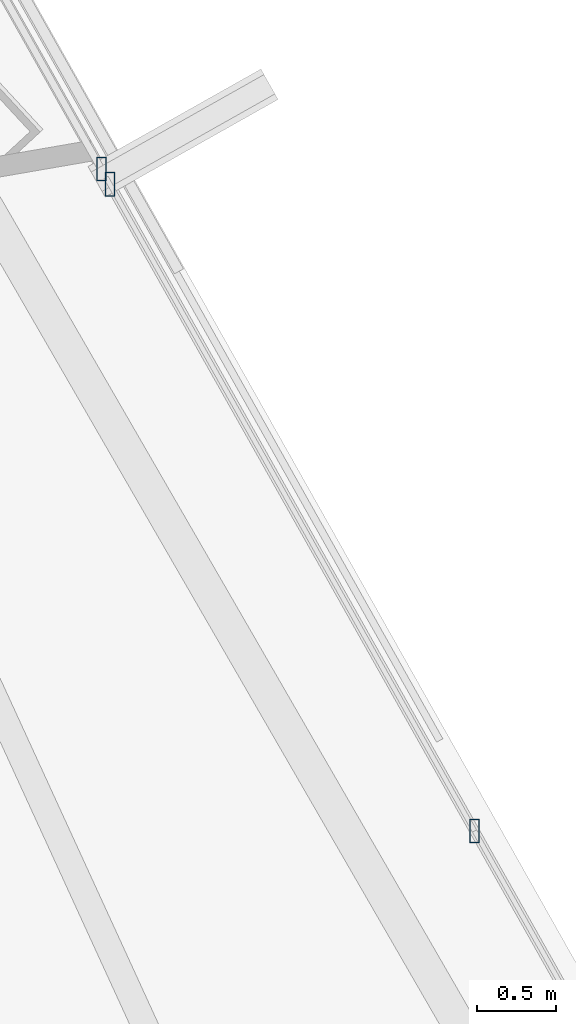
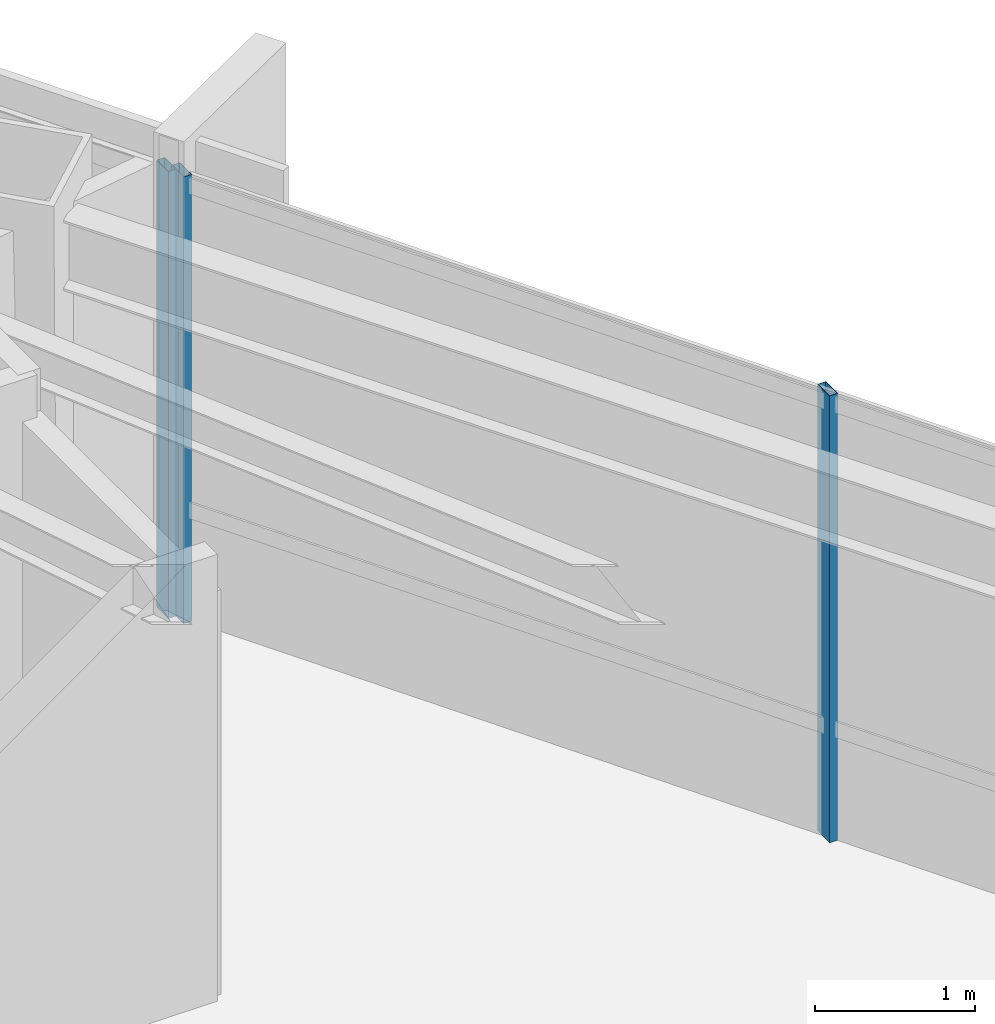
# One storey, part 24 of 42: 3 members, 2 elements without a shape of their own.
"""IFC4 building model written with IfcOpenShell, lengths in metres."""

from ifc_helpers import new_model, si_unit, direction, frame, origin, origin_2d, place, context, subcontext, project, spatial, hollow_rectangle, extrude, source, transform, mapped, material, material_profile, profile_set, type_object, type_shapes, element, aggregate, save


model = new_model("IFC4")

# Units and contexts
model_context = context("Model", 3, precision=1e-05, world=origin(), true_north=direction((0.0, 1.0)))
body_context = subcontext(model_context, "Body", "Model", "MODEL_VIEW")
ifc_project = project(units=[si_unit("LENGTHUNIT", "METRE"), si_unit("AREAUNIT", "SQUARE_METRE"), si_unit("VOLUMEUNIT", "CUBIC_METRE"), si_unit("PLANEANGLEUNIT", "RADIAN"), si_unit("MASSUNIT", "GRAM", prefix="KILO")], contexts=[model_context])

# Site, building, storey
site_placement = place(None, origin())
site = spatial("IfcSite", under=ifc_project, at=site_placement, CompositionType="ELEMENT")
building_placement = place(site_placement, origin())
building = spatial("IfcBuilding", under=site, at=building_placement, Name="Caelisora Broadcast Tower", CompositionType="ELEMENT")
storey_placement = place(building_placement, frame((0.0, 0.0, 184.050048828125)))
storey = spatial("IfcBuildingStorey", under=building, at=storey_placement, Name="L48", CompositionType="ELEMENT", Elevation=184.050048828125)

# Curtain wall, member
ifc_material_1 = material(Name="Unitised Aluminium Insulated Shadow-Box Spandrel Curtain Wall", Category="aluminium")
curtain_wall_type_1 = type_object("IfcCurtainWallType", Name="CW-SP2", PredefinedType="NOTDEFINED", material=ifc_material_1)
curtain_wall_1_placement = place(storey_placement, origin())
curtain_wall_1 = element("IfcCurtainWall", 1, at=curtain_wall_1_placement, inside=storey, type_object=curtain_wall_type_1, Name="L48 curtain wall CW-SP2", PredefinedType="NOTDEFINED")
ifc_material_2 = material(Name="Aluminium 6063-T6 Anodised Terracotta Bronze", Category="aluminium")
ifc_material_profile = material_profile(ifc_material_2, hollow_rectangle(XDim=0.06005859375, YDim=0.14990234375, WallThickness=0.00341796875, at=origin_2d()), Name="Aluminium 6063-T6 Anodised Terracotta Bronze")
ifc_profile_set = profile_set([ifc_material_profile], Name="Aluminium 6063-T6 Anodised Terracotta Bronze")
member_type = type_object("IfcMemberType", Name="CWM-03", PredefinedType="MULLION", material=ifc_profile_set)
shared_shape = source(origin(), body_context, "Body", "SweptSolid", [
    extrude(hollow_rectangle(XDim=0.06005859375, YDim=0.14990234375, WallThickness=0.00341796875, at=origin_2d()), origin(), (0.0, 0.0, 1.0), 3.39990234375),
])
type_shapes(member_type, [shared_shape])
member_1_placement = place(storey_placement, frame((55.66650390625, 26.9462890625, 0.0), z_axis=(0.0, 0.0, 1.0), x_axis=(1.0, 0.0, 0.0)))
member_1 = element("IfcMember", 2, at=member_1_placement, type_object=member_type, Name="L48-CW-B02 mullion #3", PredefinedType="MULLION", context=body_context, shape_type="MappedRepresentation", body=[
    mapped(shared_shape, transform((0.0, 0.0, 0.0), scale=1.0)),
])
aggregate(curtain_wall_1, [member_1])

# Curtain wall, members
ifc_material_3 = material(Name="Unitised Aluminium and Low-E Glass Curtain Wall", Category="glass")
curtain_wall_type_2 = type_object("IfcCurtainWallType", Name="CW-Z4", PredefinedType="NOTDEFINED", material=ifc_material_3)
curtain_wall_2_placement = place(storey_placement, origin())
curtain_wall_2 = element("IfcCurtainWall", 3, at=curtain_wall_2_placement, inside=storey, type_object=curtain_wall_type_2, Name="L48 curtain wall CW-Z4", PredefinedType="NOTDEFINED")
member_2_placement = place(storey_placement, frame((55.720703125, 26.850341796875, 0.0), z_axis=(0.0, 0.0, 1.0), x_axis=(1.0, 0.0, 0.0)))
member_2 = element("IfcMember", 4, at=member_2_placement, type_object=member_type, Name="L48-CW-B03 mullion #0", PredefinedType="MULLION", context=body_context, shape_type="MappedRepresentation", body=[
    mapped(shared_shape, transform((0.0, 0.0, 0.0), scale=1.0)),
])
member_3_placement = place(storey_placement, frame((58.017333984375, 22.776611328125, 0.0), z_axis=(0.0, 0.0, 1.0), x_axis=(1.0, 0.0, 0.0)))
member_3 = element("IfcMember", 5, at=member_3_placement, type_object=member_type, Name="L48-CW-B03 mullion #1", PredefinedType="MULLION", context=body_context, shape_type="MappedRepresentation", body=[
    mapped(shared_shape, transform((0.0, 0.0, 0.0), scale=1.0)),
])
aggregate(curtain_wall_2, [member_2, member_3])

save(model, "model.ifc")
